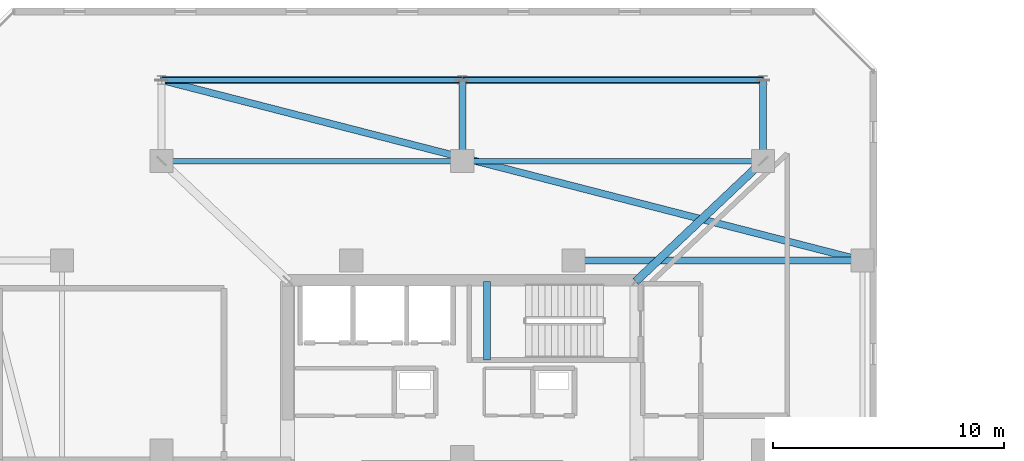
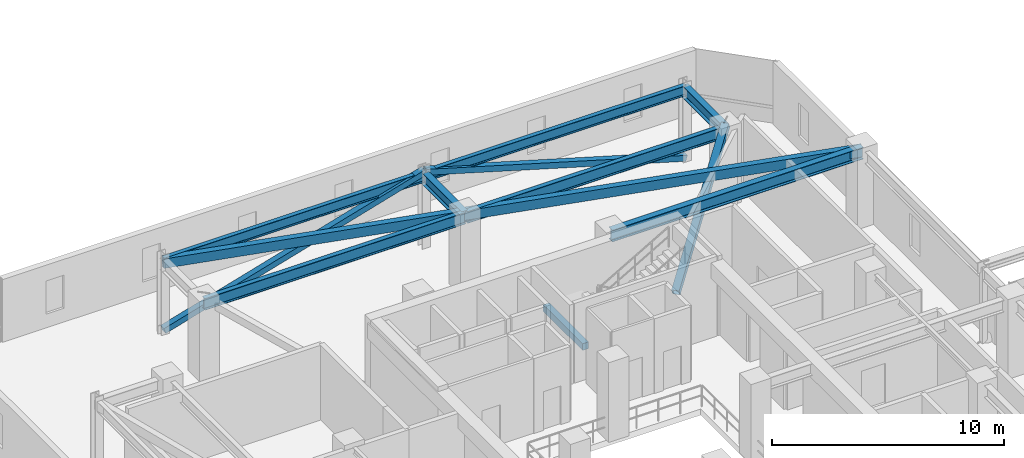
# One storey, part 15 of 42: 9 beams, 3 members.
"""IFC4 building model written with IfcOpenShell, lengths in metres."""

from ifc_helpers import new_model, si_unit, direction, frame, origin, origin_2d, place, context, subcontext, project, spatial, rectangle, hollow_rectangle, i_section, extrude, material, material_profile, profile_set, type_object, element, save


model = new_model("IFC4")

# Units and contexts
model_context = context("Model", 3, precision=1e-05, world=origin(), true_north=direction((0.0, 1.0)))
body_context = subcontext(model_context, "Body", "Model", "MODEL_VIEW")
ifc_project = project(units=[si_unit("LENGTHUNIT", "METRE"), si_unit("AREAUNIT", "SQUARE_METRE"), si_unit("VOLUMEUNIT", "CUBIC_METRE"), si_unit("PLANEANGLEUNIT", "RADIAN"), si_unit("MASSUNIT", "GRAM", prefix="KILO")], contexts=[model_context])

# Site, building, storey
site_placement = place(None, origin())
site = spatial("IfcSite", under=ifc_project, at=site_placement, CompositionType="ELEMENT")
building_placement = place(site_placement, origin())
building = spatial("IfcBuilding", under=site, at=building_placement, Name="Thornwick Lancets Civic Towers", CompositionType="ELEMENT")
storey_placement = place(building_placement, frame((0.0, 0.0, 221.699951171875)))
storey = spatial("IfcBuildingStorey", under=building, at=storey_placement, Name="L59", CompositionType="ELEMENT", Elevation=221.699951171875)

# Beams
ifc_material_1 = material(Name="Steel S355JR", Category="steel")
ifc_material_profile_1 = material_profile(ifc_material_1, i_section(OverallWidth=0.210693359375, OverallDepth=0.53955078125, WebThickness=0.01171875, FlangeThickness=0.018798828125, FilletRadius=0.0126953125, at=origin_2d()), Name="UKB 533x210x109")
ifc_profile_set_1 = profile_set([ifc_material_profile_1], Name="Steel S355JR")
beam_type_1 = type_object("IfcBeamType", Name="BM_EDGE_533_109", PredefinedType="SPANDREL", material=ifc_profile_set_1)
beam_1_placement = place(storey_placement, frame((12.5, 47.800048828125, 3.6904296875), z_axis=(1.0, 0.0, 0.0), x_axis=(0.0, 1.0, 0.0)))
element("IfcBeam", 1, at=beam_1_placement, inside=storey, type_object=beam_type_1, Name="BM-EDGE-L59-A-S2-1", PredefinedType="SPANDREL", context=body_context, shape_type="SweptSolid", body=[
    extrude(i_section(OverallWidth=0.210693359375, OverallDepth=0.53955078125, WebThickness=0.01171875, FlangeThickness=0.018798828125, FilletRadius=0.0126953125, at=origin_2d()), origin(), (0.0, 0.0, 1.0), 13.0),
])
beam_2_placement = place(storey_placement, frame((25.580078125, 47.800048828125, 3.6904296875), z_axis=(1.0, 0.0, 0.0), x_axis=(0.0, 1.0, 0.0)))
element("IfcBeam", 2, at=beam_2_placement, inside=storey, type_object=beam_type_1, Name="BM-EDGE-L59-A-S2-2", PredefinedType="SPANDREL", context=body_context, shape_type="SweptSolid", body=[
    extrude(i_section(OverallWidth=0.210693359375, OverallDepth=0.53955078125, WebThickness=0.01171875, FlangeThickness=0.018798828125, FilletRadius=0.0126953125, at=origin_2d()), origin(), (0.0, 0.0, 1.0), 12.919921875),
])
ifc_material_profile_2 = material_profile(ifc_material_1, i_section(OverallWidth=0.230224609375, OverallDepth=0.6171875, WebThickness=0.01318359375, FlangeThickness=0.022216796875, FilletRadius=0.0126953125, at=origin_2d()), Name="UKB 610x229x140")
ifc_profile_set_2 = profile_set([ifc_material_profile_2], Name="Steel S355JR")
beam_type_2 = type_object("IfcBeamType", Name="BM_GIRD_610_140", PredefinedType="BEAM", material=ifc_profile_set_2)
beam_3_placement = place(storey_placement, frame((12.5, 44.300048828125, 3.6513671875), z_axis=(1.0, 0.0, 0.0), x_axis=(0.0, 1.0, 0.0)))
element("IfcBeam", 3, at=beam_3_placement, inside=storey, type_object=beam_type_2, Name="BM-SPINE-L59-A-6-7", PredefinedType="BEAM", context=body_context, shape_type="SweptSolid", body=[
    extrude(i_section(OverallWidth=0.230224609375, OverallDepth=0.6171875, WebThickness=0.01318359375, FlangeThickness=0.022216796875, FilletRadius=0.0126953125, at=origin_2d()), origin(), (0.0, 0.0, 1.0), 13.0),
])
beam_4_placement = place(storey_placement, frame((25.580078125, 44.300048828125, 3.6513671875), z_axis=(1.0, 0.0, 0.0), x_axis=(0.0, 1.0, 0.0)))
element("IfcBeam", 4, at=beam_4_placement, inside=storey, type_object=beam_type_2, Name="BM-SPINE-L59-A-7-8", PredefinedType="BEAM", context=body_context, shape_type="SweptSolid", body=[
    extrude(i_section(OverallWidth=0.230224609375, OverallDepth=0.6171875, WebThickness=0.01318359375, FlangeThickness=0.022216796875, FilletRadius=0.0126953125, at=origin_2d()), origin(), (0.0, 0.0, 1.0), 12.919921875),
])
ifc_material_profile_3 = material_profile(ifc_material_1, i_section(OverallWidth=0.30712890625, OverallDepth=0.6201171875, WebThickness=0.01416015625, FlangeThickness=0.023681640625, FilletRadius=0.0166015625, at=origin_2d()), Name="UKB 610x305x179")
ifc_profile_set_3 = profile_set([ifc_material_profile_3], Name="Steel S355JR")
beam_type_3 = type_object("IfcBeamType", Name="BM_GIRD_610_179", PredefinedType="BEAM", material=ifc_profile_set_3)
beam_5_placement = place(storey_placement, frame((30.300048828125, 40.0, 3.64990234375), z_axis=(1.0, 0.0, 0.0), x_axis=(0.0, 1.0, 0.0)))
element("IfcBeam", 5, at=beam_5_placement, inside=storey, type_object=beam_type_3, Name="BM-RADIN-L59-A06", PredefinedType="BEAM", context=body_context, shape_type="SweptSolid", body=[
    extrude(i_section(OverallWidth=0.30712890625, OverallDepth=0.6201171875, WebThickness=0.01416015625, FlangeThickness=0.023681640625, FilletRadius=0.0166015625, at=origin_2d()), origin(), (0.0, 0.0, 1.0), 12.5),
])
for number, where, z_axis, x_axis, name in (
    (6, (25.5, 44.300048828125, 3.64990234375), (0.0, 1.0, 0.0), (-1.0, 0.0, 0.0), "BM-RAD-L59-A08"),
    (7, (38.5, 44.300048828125, 3.64990234375), (0.0, 1.0, 0.0), (-1.0, 0.0, 0.0), "BM-RAD-L59-A09"),
):
    element("IfcBeam", number, at=place(storey_placement, frame(where, z_axis=z_axis, x_axis=x_axis)), inside=storey, type_object=beam_type_3, Name=name, PredefinedType="BEAM", context=body_context, shape_type="SweptSolid", body=[
        extrude(i_section(OverallWidth=0.30712890625, OverallDepth=0.6201171875, WebThickness=0.01416015625, FlangeThickness=0.023681640625, FilletRadius=0.0166015625, at=origin_2d()), origin(), (0.0, 0.0, 1.0), 3.5),
    ])
ifc_material_2 = material(Name="Steel S460M", Category="steel")
ifc_material_profile_4 = material_profile(ifc_material_2, hollow_rectangle(XDim=0.300048828125, YDim=0.5, WallThickness=0.02001953125, at=origin_2d()), Name="RHS 500x300x20")
ifc_profile_set_4 = profile_set([ifc_material_profile_4], Name="Steel S460M")
beam_type_4 = type_object("IfcBeamType", Name="BM_RING_RHS500", PredefinedType="BEAM", material=ifc_profile_set_4)
beam_6_placement = place(storey_placement, frame((42.800048828125, 40.0, 3.7099609375), z_axis=(-0.96842654257, 0.249299080716, 0.0), x_axis=(-0.249299080716, -0.96842654257, 0.0)))
element("IfcBeam", 8, at=beam_6_placement, inside=storey, type_object=beam_type_4, Name="BM-CHAMF-L59-A-C1", PredefinedType="BEAM", context=body_context, shape_type="SweptSolid", body=[
    extrude(hollow_rectangle(XDim=0.300048828125, YDim=0.5, WallThickness=0.02001953125, at=origin_2d()), origin(), (0.0, 0.0, 1.0), 31.287841796875),
])
ifc_material_3 = material(Name="Concrete C40/50", Category="concrete")
ifc_material_profile_5 = material_profile(ifc_material_3, rectangle(XDim=0.300048828125, YDim=0.35009765625, at=origin_2d()), Name="RC 300x350")
ifc_profile_set_5 = profile_set([ifc_material_profile_5], Name="Concrete C40/50")
beam_type_5 = type_object("IfcBeamType", Name="BM_STAIR_LDG", PredefinedType="BEAM", material=ifc_profile_set_5)
beam_7_placement = place(storey_placement, frame((26.56494140625, 39.10009765625, 1.677978515625), z_axis=(0.0, -1.0, 0.0), x_axis=(1.0, 0.0, 0.0)))
element("IfcBeam", 9, at=beam_7_placement, inside=storey, type_object=beam_type_5, Name="L59 ST-A2 Landing Support Beam 1", PredefinedType="BEAM", context=body_context, shape_type="SweptSolid", body=[
    extrude(rectangle(XDim=0.300048828125, YDim=0.35009765625, at=origin_2d()), origin(), (0.0, 0.0, 1.0), 3.400146484375),
])

# Members
ifc_material_profile_6 = material_profile(ifc_material_2, hollow_rectangle(XDim=0.300048828125, YDim=0.300048828125, WallThickness=0.01611328125, at=origin_2d()), Name="SHS 300x300x16")
ifc_profile_set_6 = profile_set([ifc_material_profile_6], Name="Steel S460M")
member_type_1 = type_object("IfcMemberType", Name="MEM_BELT_SHS300", PredefinedType="BRACE", material=ifc_profile_set_6)
for number, where, z_axis, x_axis, name in (
    (10, (12.5, 47.800048828125, 0.150146484375), (0.959639110761, 0.0, 0.281234381074), (0.0, 1.0, 0.0), "L59 Belt Truss Diagonal A-S2-1"),
    (11, (38.5, 47.800048828125, 0.150146484375), (-0.959639110761, 0.0, 0.281234381074), (0.0, -1.0, 0.0), "L59 Belt Truss Diagonal A-S2-2"),
):
    element("IfcMember", number, at=place(storey_placement, frame(where, z_axis=z_axis, x_axis=x_axis)), inside=storey, type_object=member_type_1, Name=name, PredefinedType="BRACE", context=body_context, shape_type="SweptSolid", body=[
        extrude(hollow_rectangle(XDim=0.300048828125, YDim=0.300048828125, WallThickness=0.01611328125, at=origin_2d()), origin(), (0.0, 0.0, 1.0), 13.546875),
    ])
ifc_material_profile_7 = material_profile(ifc_material_2, hollow_rectangle(XDim=0.35009765625, YDim=0.35009765625, WallThickness=0.01611328125, at=origin_2d()), Name="SHS 350x350x16")
ifc_profile_set_7 = profile_set([ifc_material_profile_7], Name="Steel S460M")
member_type_2 = type_object("IfcMemberType", Name="MEM_OUTRIG_SHS350", PredefinedType="BRACE", material=ifc_profile_set_7)
member_placement = place(storey_placement, frame((33.050048828125, 39.14990234375, 0.150146484375), z_axis=(0.647974699772, 0.612329269887, 0.452969815434), x_axis=(-0.686832880872, 0.726815378038, 0.0)))
element("IfcMember", 12, at=member_placement, inside=storey, type_object=member_type_2, Name="L59 Outrigger Brace A-3", PredefinedType="BRACE", context=body_context, shape_type="SweptSolid", body=[
    extrude(hollow_rectangle(XDim=0.35009765625, YDim=0.35009765625, WallThickness=0.01611328125, at=origin_2d()), origin(), (0.0, 0.0, 1.0), 8.41064453125),
])

save(model, "model.ifc")
